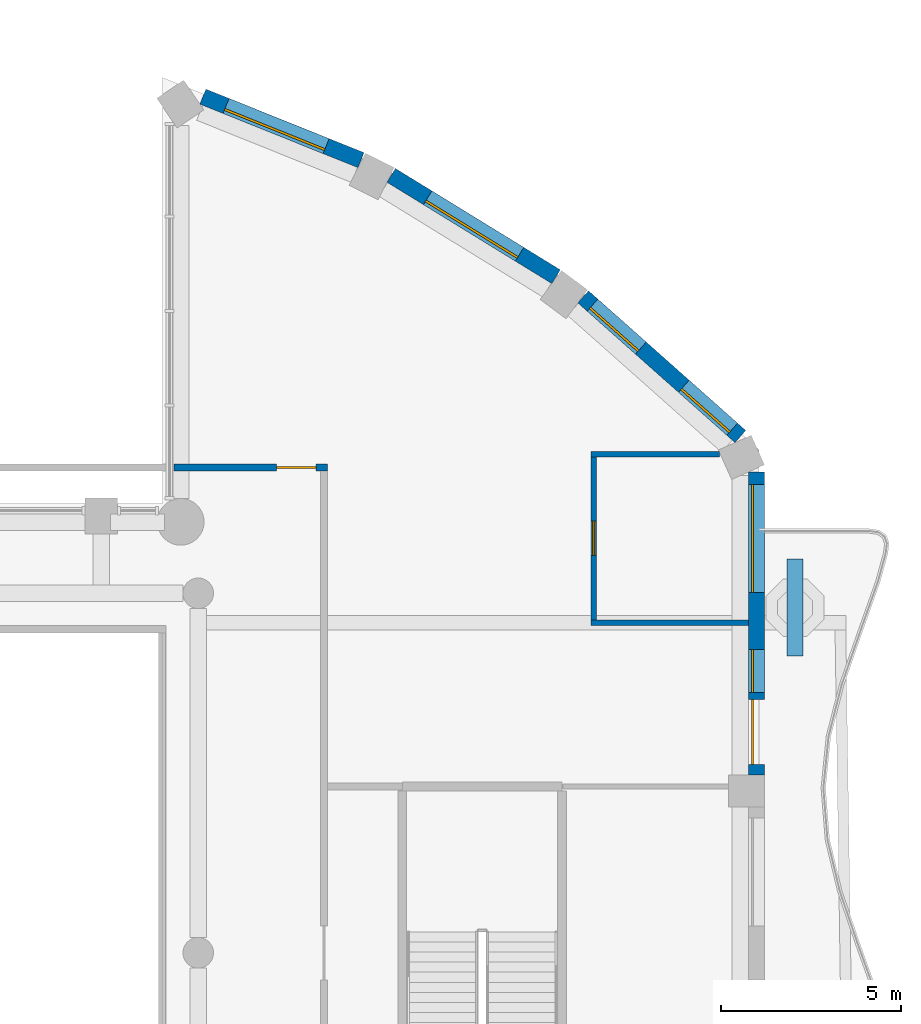
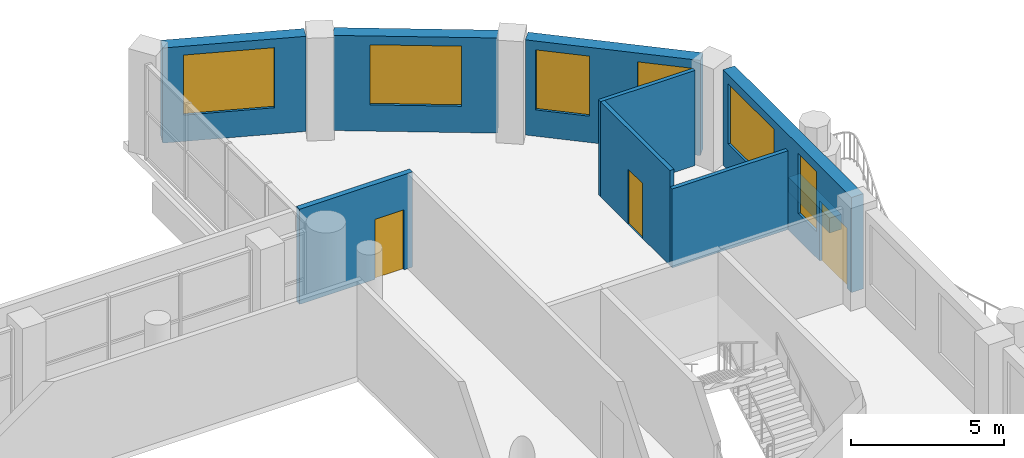
# One storey, part 7 of 14: 9 walls, 6 windows, 3 doors, 9 openings.
"""IFC4 building model written with IfcOpenShell, lengths in metres."""

from ifc_helpers import new_model, si_unit, direction, frame, frame_2d, origin, place, context, subcontext, project, spatial, rectangle, extrude, material, layer, layer_set, type_object, element, fill, save


model = new_model("IFC4")

# Units and contexts
model_context = context("Model", 3, precision=1e-05, world=origin(), true_north=direction((0.0, 1.0)))
body_context = subcontext(model_context, "Body", "Model", "MODEL_VIEW")
ifc_project = project(units=[si_unit("LENGTHUNIT", "METRE"), si_unit("AREAUNIT", "SQUARE_METRE"), si_unit("VOLUMEUNIT", "CUBIC_METRE"), si_unit("PLANEANGLEUNIT", "RADIAN"), si_unit("MASSUNIT", "GRAM", prefix="KILO")], contexts=[model_context])

# Site, building, storey
site_placement = place(None, origin())
site = spatial("IfcSite", under=ifc_project, at=site_placement, CompositionType="ELEMENT")
building_placement = place(site_placement, origin())
building = spatial("IfcBuilding", under=site, at=building_placement, Name="Cypress Arch Tower", CompositionType="ELEMENT")
storey_placement = place(building_placement, frame((0.0, 0.0, 263.89990234375)))
storey = spatial("IfcBuildingStorey", under=building, at=storey_placement, Name="L59", CompositionType="ELEMENT", Elevation=263.89990234375)

# Wall
ifc_material_1 = material(Name="Concrete C40/50, waterproofed", Category="concrete")
ifc_layer_1 = layer(ifc_material_1, 0.449951171875)
ifc_layer_set_1 = layer_set([ifc_layer_1], Name="Balcony planter wall PW450")
wall_type_1 = type_object("IfcWallType", Name="Balcony planter wall PW450", PredefinedType="SOLIDWALL", material=ifc_layer_set_1)
wall_1_placement = place(storey_placement, frame((25.60009765625, 8.25, 0.0), z_axis=(0.0, 0.0, 1.0), x_axis=(0.0, 1.0, 0.0)))
element("IfcWall", 1, at=wall_1_placement, inside=storey, type_object=wall_type_1, Name="Balcony planter wall L59-C17.3", PredefinedType="SOLIDWALL", context=body_context, shape_type="SweptSolid", body=[
    extrude(rectangle(XDim=2.699951171875, YDim=0.449951171875, at=frame_2d((1.35009765625, 0.0))), origin(), (0.0, 0.0, 1.0), 0.60009765625),
])

# Wall, openings, door, windows
ifc_material_2 = material(Name="Brick (red buff blend)", Category="masonry")
ifc_layer_2 = layer(ifc_material_2, 0.449951171875)
ifc_layer_set_2 = layer_set([ifc_layer_2], Name="Brick pier and spandrel wall BW450")
wall_type_2 = type_object("IfcWallType", Name="Brick pier and spandrel wall BW450", PredefinedType="SOLIDWALL", material=ifc_layer_set_2)
wall_2_placement = place(storey_placement, frame((24.52490234375, 4.949951171875, 0.0), z_axis=(0.0, 0.0, 1.0), x_axis=(0.0, 1.0, 0.0)))
wall_2 = element("IfcWall", 2, at=wall_2_placement, inside=storey, type_object=wall_type_2, Name="Brick wall L59 C17.2", PredefinedType="SOLIDWALL", context=body_context, shape_type="SweptSolid", body=[
    extrude(rectangle(XDim=8.421875, YDim=0.449951171875, at=frame_2d((4.2109375, 0.0))), origin(), (0.0, 0.0, 1.0), 3.800048828125),
])
opening_1_placement = place(wall_2_placement, frame((0.291259765625, 0.0, 0.0)))
opening_1 = element("IfcOpeningElement", 3, at=opening_1_placement, cuts=wall_2, Name="Opening D-L59-C17.2.1", PredefinedType="OPENING", context=body_context, shape_type="SweptSolid", body=[
    extrude(rectangle(XDim=1.800048828125, YDim=2.39990234375, at=frame_2d((0.89990234375, 1.199951171875))), frame((0.0, 0.23486328125, 0.0), z_axis=(0.0, -1.0, 0.0), x_axis=(1.0, 0.0, 0.0)), (0.0, 0.0, 1.0), 0.469970703125),
])
opening_2_placement = place(wall_2_placement, frame((2.291259765625, 0.0, 1.050048828125)))
opening_2 = element("IfcOpeningElement", 4, at=opening_2_placement, cuts=wall_2, Name="Opening W120OD", PredefinedType="OPENING", context=body_context, shape_type="SweptSolid", body=[
    extrude(rectangle(XDim=1.199951171875, YDim=2.39990234375, at=frame_2d((0.60009765625, 1.199951171875))), frame((0.0, 0.23486328125, 0.0), z_axis=(0.0, -1.0, 0.0), x_axis=(1.0, 0.0, 0.0)), (0.0, 0.0, 1.0), 0.469970703125),
])
opening_3_placement = place(wall_2_placement, frame((5.073974609375, 0.0, 1.050048828125)))
opening_3 = element("IfcOpeningElement", 5, at=opening_3_placement, cuts=wall_2, Name="Opening W300OD", PredefinedType="OPENING", context=body_context, shape_type="SweptSolid", body=[
    extrude(rectangle(XDim=3.0, YDim=2.39990234375, at=frame_2d((1.5, 1.199951171875))), frame((0.0, 0.23486328125, 0.0), z_axis=(0.0, -1.0, 0.0), x_axis=(1.0, 0.0, 0.0)), (0.0, 0.0, 1.0), 0.469970703125),
])
ifc_material_3 = material(Name="Anodised aluminium, bronze finish, laminated low-emissivity double glazing, large-missile impact rated", Category="aluminium")
door_type_1 = type_object("IfcDoorType", Name="Balcony sliding door 1800x2400", OperationType="SLIDING_TO_LEFT", PredefinedType="DOOR", material=ifc_material_3)
door_1_placement = place(opening_1_placement, origin())
door_1 = element("IfcDoor", 6, at=door_1_placement, inside=storey, type_object=door_type_1, Name="Balcony door L59 C17.2.1", OperationType="SLIDING_TO_LEFT", OverallHeight=2.39990234375, OverallWidth=1.800048828125, PredefinedType="DOOR", context=body_context, shape_type="SweptSolid", body=[
    extrude(rectangle(XDim=1.800048828125, YDim=2.39990234375, at=frame_2d((0.89990234375, 1.199951171875))), frame((0.0, 0.1298828125, 0.0), z_axis=(0.0, -1.0, 0.0), x_axis=(1.0, 0.0, 0.0)), (0.0, 0.0, 1.0), 0.050048828125),
])
fill(opening_1, door_1)
ifc_material_4 = material(Name="Anodised aluminium, bronze finish, laminated low-emissivity double glazing, large-missile impact rated", Category="aluminium")
window_type_1 = type_object("IfcWindowType", Name="Window Office 1200x2400 debris-rated", PartitioningType="SINGLE_PANEL", PredefinedType="WINDOW", material=ifc_material_4)
window_1_placement = place(opening_2_placement, origin())
window_1 = element("IfcWindow", 7, at=window_1_placement, inside=storey, type_object=window_type_1, Name="Window L59 C17.2.1", OverallHeight=2.39990234375, OverallWidth=1.199951171875, PartitioningType="SINGLE_PANEL", PredefinedType="WINDOW", context=body_context, shape_type="SweptSolid", body=[
    extrude(rectangle(XDim=1.199951171875, YDim=2.39990234375, at=frame_2d((0.60009765625, 1.199951171875))), frame((0.0, 0.135009765625, 0.0), z_axis=(0.0, -1.0, 0.0), x_axis=(1.0, 0.0, 0.0)), (0.0, 0.0, 1.0), 0.06005859375),
])
fill(opening_2, window_1)
ifc_material_5 = material(Name="Anodised aluminium, bronze finish, laminated low-emissivity double glazing, large-missile impact rated", Category="aluminium")
window_type_2 = type_object("IfcWindowType", Name="Window Office 3000x2400 debris-rated", PartitioningType="SINGLE_PANEL", PredefinedType="WINDOW", material=ifc_material_5)
window_2_placement = place(opening_3_placement, origin())
window_2 = element("IfcWindow", 8, at=window_2_placement, inside=storey, type_object=window_type_2, Name="Window L59 C17.2.2", OverallHeight=2.39990234375, OverallWidth=3.0, PartitioningType="SINGLE_PANEL", PredefinedType="WINDOW", context=body_context, shape_type="SweptSolid", body=[
    extrude(rectangle(XDim=3.0, YDim=2.39990234375, at=frame_2d((1.5, 1.199951171875))), frame((0.0, 0.135009765625, 0.0), z_axis=(0.0, -1.0, 0.0), x_axis=(1.0, 0.0, 0.0)), (0.0, 0.0, 1.0), 0.06005859375),
])
fill(opening_3, window_2)

# Wall, openings, windows
wall_3_placement = place(storey_placement, frame((24.08056640625, 14.361083984375, 0.0), z_axis=(0.0, 0.0, 1.0), x_axis=(-0.747570482973, 0.664182484704, 0.0)))
wall_3 = element("IfcWall", 9, at=wall_3_placement, inside=storey, type_object=wall_type_2, Name="Brick wall L59 C18.0", PredefinedType="SOLIDWALL", context=body_context, shape_type="SweptSolid", body=[
    extrude(rectangle(XDim=5.849609375, YDim=0.449951171875, at=frame_2d((2.9248046875, 0.0))), origin(), (0.0, 0.0, 1.0), 3.800048828125),
])
opening_4_placement = place(wall_3_placement, frame((0.305419921875, 0.0, 1.050048828125)))
opening_4 = element("IfcOpeningElement", 10, at=opening_4_placement, cuts=wall_3, Name="Opening W180O", PredefinedType="OPENING", context=body_context, shape_type="SweptSolid", body=[
    extrude(rectangle(XDim=1.800048828125, YDim=2.39990234375, at=frame_2d((0.89990234375, 1.199951171875))), frame((0.0, 0.23486328125, 0.0), z_axis=(0.0, -1.0, 0.0), x_axis=(1.0, 0.0, 0.0)), (0.0, 0.0, 1.0), 0.469970703125),
])
opening_5_placement = place(wall_3_placement, frame((3.702880859375, 0.0, 1.050048828125)))
opening_5 = element("IfcOpeningElement", 11, at=opening_5_placement, cuts=wall_3, Name="Opening W180O", PredefinedType="OPENING", context=body_context, shape_type="SweptSolid", body=[
    extrude(rectangle(XDim=1.800048828125, YDim=2.39990234375, at=frame_2d((0.89990234375, 1.199951171875))), frame((0.0, 0.23486328125, 0.0), z_axis=(0.0, -1.0, 0.0), x_axis=(1.0, 0.0, 0.0)), (0.0, 0.0, 1.0), 0.469970703125),
])
ifc_material_6 = material(Name="Anodised aluminium, bronze finish, clear low-emissivity double glazing", Category="aluminium")
window_type_3 = type_object("IfcWindowType", Name="Window Office 1800x2400", PartitioningType="SINGLE_PANEL", PredefinedType="WINDOW", material=ifc_material_6)
window_3_placement = place(opening_4_placement, origin())
window_3 = element("IfcWindow", 12, at=window_3_placement, inside=storey, type_object=window_type_3, Name="Window L59 C18.0.1", OverallHeight=2.39990234375, OverallWidth=1.800048828125, PartitioningType="SINGLE_PANEL", PredefinedType="WINDOW", context=body_context, shape_type="SweptSolid", body=[
    extrude(rectangle(XDim=1.800048828125, YDim=2.39990234375, at=frame_2d((0.89990234375, 1.199951171875))), frame((0.0, 0.135009765625, 0.0), z_axis=(0.0, -1.0, 0.0), x_axis=(1.0, 0.0, 0.0)), (0.0, 0.0, 1.0), 0.06005859375),
])
fill(opening_4, window_3)
window_4_placement = place(opening_5_placement, origin())
window_4 = element("IfcWindow", 13, at=window_4_placement, inside=storey, type_object=window_type_3, Name="Window L59 C18.0.2", OverallHeight=2.39990234375, OverallWidth=1.800048828125, PartitioningType="SINGLE_PANEL", PredefinedType="WINDOW", context=body_context, shape_type="SweptSolid", body=[
    extrude(rectangle(XDim=1.800048828125, YDim=2.39990234375, at=frame_2d((0.89990234375, 1.199951171875))), frame((0.0, 0.135009765625, 0.0), z_axis=(0.0, -1.0, 0.0), x_axis=(1.0, 0.0, 0.0)), (0.0, 0.0, 1.0), 0.06005859375),
])
fill(opening_5, window_4)

# Wall, opening, window
wall_4_placement = place(storey_placement, frame((18.953369140625, 18.806396484375, 0.0), z_axis=(0.0, 0.0, 1.0), x_axis=(-0.851860664503, 0.523768468193, 0.0)))
wall_4 = element("IfcWall", 14, at=wall_4_placement, inside=storey, type_object=wall_type_2, Name="Brick wall L59 C19.0", PredefinedType="SOLIDWALL", context=body_context, shape_type="SweptSolid", body=[
    extrude(rectangle(XDim=5.3837890625, YDim=0.449951171875, at=frame_2d((2.69189453125, 0.0))), origin(), (0.0, 0.0, 1.0), 3.800048828125),
])
opening_6_placement = place(wall_4_placement, frame((1.19189453125, 0.0, 1.050048828125)))
opening_6 = element("IfcOpeningElement", 15, at=opening_6_placement, cuts=wall_4, Name="Opening W300O", PredefinedType="OPENING", context=body_context, shape_type="SweptSolid", body=[
    extrude(rectangle(XDim=3.0, YDim=2.39990234375, at=frame_2d((1.5, 1.199951171875))), frame((0.0, 0.23486328125, 0.0), z_axis=(0.0, -1.0, 0.0), x_axis=(1.0, 0.0, 0.0)), (0.0, 0.0, 1.0), 0.469970703125),
])
ifc_material_7 = material(Name="Anodised aluminium, bronze finish, clear low-emissivity double glazing", Category="aluminium")
window_type_4 = type_object("IfcWindowType", Name="Window Office 3000x2400", PartitioningType="SINGLE_PANEL", PredefinedType="WINDOW", material=ifc_material_7)
window_5_placement = place(opening_6_placement, origin())
window_5 = element("IfcWindow", 16, at=window_5_placement, inside=storey, type_object=window_type_4, Name="Window L59 C19.0.1", OverallHeight=2.39990234375, OverallWidth=3.0, PartitioningType="SINGLE_PANEL", PredefinedType="WINDOW", context=body_context, shape_type="SweptSolid", body=[
    extrude(rectangle(XDim=3.0, YDim=2.39990234375, at=frame_2d((1.5, 1.199951171875))), frame((0.0, 0.135009765625, 0.0), z_axis=(0.0, -1.0, 0.0), x_axis=(1.0, 0.0, 0.0)), (0.0, 0.0, 1.0), 0.06005859375),
])
fill(opening_6, window_5)

wall_5_placement = place(storey_placement, frame((13.529296875, 22.04833984375, 0.0), z_axis=(0.0, 0.0, 1.0), x_axis=(-0.927957332619, 0.372686448424, 0.0)))
wall_5 = element("IfcWall", 17, at=wall_5_placement, inside=storey, type_object=wall_type_2, Name="Brick wall L59 C20.0", PredefinedType="SOLIDWALL", context=body_context, shape_type="SweptSolid", body=[
    extrude(rectangle(XDim=4.741455078125, YDim=0.449951171875, at=frame_2d((2.37060546875, 0.0))), origin(), (0.0, 0.0, 1.0), 3.800048828125),
])
opening_7_placement = place(wall_5_placement, frame((1.046630859375, 0.0, 1.050048828125)))
opening_7 = element("IfcOpeningElement", 18, at=opening_7_placement, cuts=wall_5, Name="Opening W300O", PredefinedType="OPENING", context=body_context, shape_type="SweptSolid", body=[
    extrude(rectangle(XDim=3.0, YDim=2.39990234375, at=frame_2d((1.5, 1.199951171875))), frame((0.0, 0.23486328125, 0.0), z_axis=(0.0, -1.0, 0.0), x_axis=(1.0, 0.0, 0.0)), (0.0, 0.0, 1.0), 0.469970703125),
])
window_6_placement = place(opening_7_placement, origin())
window_6 = element("IfcWindow", 19, at=window_6_placement, inside=storey, type_object=window_type_4, Name="Window L59 C20.0.1", OverallHeight=2.39990234375, OverallWidth=3.0, PartitioningType="SINGLE_PANEL", PredefinedType="WINDOW", context=body_context, shape_type="SweptSolid", body=[
    extrude(rectangle(XDim=3.0, YDim=2.39990234375, at=frame_2d((1.5, 1.199951171875))), frame((0.0, 0.135009765625, 0.0), z_axis=(0.0, -1.0, 0.0), x_axis=(1.0, 0.0, 0.0)), (0.0, 0.0, 1.0), 0.06005859375),
])
fill(opening_7, window_6)

# Wall, opening, door
ifc_material_8 = material(Name="Concrete blockwork, plastered, rated", Category="masonry")
ifc_layer_3 = layer(ifc_material_8, 0.199951171875)
ifc_layer_set_3 = layer_set([ifc_layer_3], Name="Corridor wall FW200")
wall_type_3 = type_object("IfcWallType", Name="Corridor wall FW200", PredefinedType="PARTITIONING", material=ifc_layer_set_3)
wall_6_placement = place(storey_placement, frame((8.330078125, 13.5, 0.0), z_axis=(0.0, 0.0, 1.0), x_axis=(1.0, 0.0, 0.0)))
wall_6 = element("IfcWall", 20, at=wall_6_placement, inside=storey, type_object=wall_type_3, Name="Corridor wall", PredefinedType="PARTITIONING", context=body_context, shape_type="SweptSolid", body=[
    extrude(rectangle(XDim=4.27001953125, YDim=0.199951171875, at=frame_2d((2.135009765625, 0.0))), origin(), (0.0, 0.0, 1.0), 3.800048828125),
])
opening_8_placement = place(wall_6_placement, frame((2.85009765625, 0.0, 0.0)))
opening_8 = element("IfcOpeningElement", 21, at=opening_8_placement, cuts=wall_6, Name="Opening D01", PredefinedType="OPENING", context=body_context, shape_type="SweptSolid", body=[
    extrude(rectangle(XDim=1.10009765625, YDim=2.39990234375, at=frame_2d((0.550048828125, 1.199951171875))), frame((0.0, 0.10986328125, 0.0), z_axis=(0.0, -1.0, 0.0), x_axis=(1.0, 0.0, 0.0)), (0.0, 0.0, 1.0), 0.219970703125),
])
ifc_material_9 = material(Name="Timber flush door, fire resisting, self-closing", Category="wood")
door_type_2 = type_object("IfcDoorType", Name="Unit entrance door D01 1100x2400", OperationType="SINGLE_SWING_LEFT", PredefinedType="DOOR", material=ifc_material_9)
door_2_placement = place(opening_8_placement, origin())
door_2 = element("IfcDoor", 22, at=door_2_placement, inside=storey, type_object=door_type_2, Name="Unit entrance door", OperationType="SINGLE_SWING_RIGHT", OverallHeight=2.39990234375, OverallWidth=1.10009765625, PredefinedType="DOOR", context=body_context, shape_type="SweptSolid", body=[
    extrude(rectangle(XDim=1.10009765625, YDim=2.39990234375, at=frame_2d((0.550048828125, 1.199951171875))), frame((0.0, 0.02490234375, 0.0), z_axis=(0.0, -1.0, 0.0), x_axis=(1.0, 0.0, 0.0)), (0.0, 0.0, 1.0), 0.050048828125),
])
fill(opening_8, door_2)

ifc_material_10 = material(Name="Blockwork, plastered both sides", Category="masonry")
ifc_layer_4 = layer(ifc_material_10, 0.14990234375)
ifc_layer_set_4 = layer_set([ifc_layer_4], Name="Partition PW150")
wall_type_4 = type_object("IfcWallType", Name="Partition PW150", PredefinedType="PARTITIONING", material=ifc_layer_set_4)
wall_7_placement = place(storey_placement, frame((20.0, 9.258056640625, 0.0), z_axis=(0.0, 0.0, 1.0), x_axis=(0.0, 1.0, 0.0)))
wall_7 = element("IfcWall", 23, at=wall_7_placement, inside=storey, type_object=wall_type_4, Name="Partition", PredefinedType="PARTITIONING", context=body_context, shape_type="SweptSolid", body=[
    extrude(rectangle(XDim=4.531982421875, YDim=0.14990234375, at=frame_2d((2.26611328125, 0.0))), origin(), (0.0, 0.0, 1.0), 3.800048828125),
])
opening_9_placement = place(wall_7_placement, frame((1.800048828125, 0.0, 0.0)))
opening_9 = element("IfcOpeningElement", 24, at=opening_9_placement, cuts=wall_7, Name="Opening D12", PredefinedType="OPENING", context=body_context, shape_type="SweptSolid", body=[
    extrude(rectangle(XDim=0.949951171875, YDim=2.199951171875, at=frame_2d((0.47509765625, 1.10009765625))), frame((0.0, 0.0849609375, 0.0), z_axis=(0.0, -1.0, 0.0), x_axis=(1.0, 0.0, 0.0)), (0.0, 0.0, 1.0), 0.169921875),
])
ifc_material_11 = material(Name="Timber flush door", Category="wood")
door_type_3 = type_object("IfcDoorType", Name="Room door D12 950x2200", OperationType="SINGLE_SWING_LEFT", PredefinedType="DOOR", material=ifc_material_11)
door_3_placement = place(opening_9_placement, origin())
door_3 = element("IfcDoor", 25, at=door_3_placement, inside=storey, type_object=door_type_3, Name="Room door", OperationType="SINGLE_SWING_RIGHT", OverallHeight=2.199951171875, OverallWidth=0.949951171875, PredefinedType="DOOR", context=body_context, shape_type="SweptSolid", body=[
    extrude(rectangle(XDim=0.949951171875, YDim=2.199951171875, at=frame_2d((0.47509765625, 1.10009765625))), frame((0.0, 0.02490234375, 0.0), z_axis=(0.0, -1.0, 0.0), x_axis=(1.0, 0.0, 0.0)), (0.0, 0.0, 1.0), 0.050048828125),
])
fill(opening_9, door_3)

# Walls
wall_8_placement = place(storey_placement, frame((19.925048828125, 9.18310546875, 0.0), z_axis=(0.0, 0.0, 1.0), x_axis=(1.0, 0.0, 0.0)))
element("IfcWall", 26, at=wall_8_placement, inside=storey, type_object=wall_type_4, Name="Partition", PredefinedType="PARTITIONING", context=body_context, shape_type="SweptSolid", body=[
    extrude(rectangle(XDim=4.375, YDim=0.14990234375, at=frame_2d((2.1875, 0.0))), origin(), (0.0, 0.0, 1.0), 3.150146484375),
])
wall_9_placement = place(storey_placement, frame((19.925048828125, 13.864990234375, 0.0), z_axis=(0.0, 0.0, 1.0), x_axis=(1.0, 0.0, 0.0)))
element("IfcWall", 27, at=wall_9_placement, inside=storey, type_object=wall_type_4, Name="Partition", PredefinedType="PARTITIONING", context=body_context, shape_type="SweptSolid", body=[
    extrude(rectangle(XDim=3.568115234375, YDim=0.14990234375, at=frame_2d((1.7841796875, 0.0))), origin(), (0.0, 0.0, 1.0), 3.800048828125),
])

save(model, "model.ifc")
